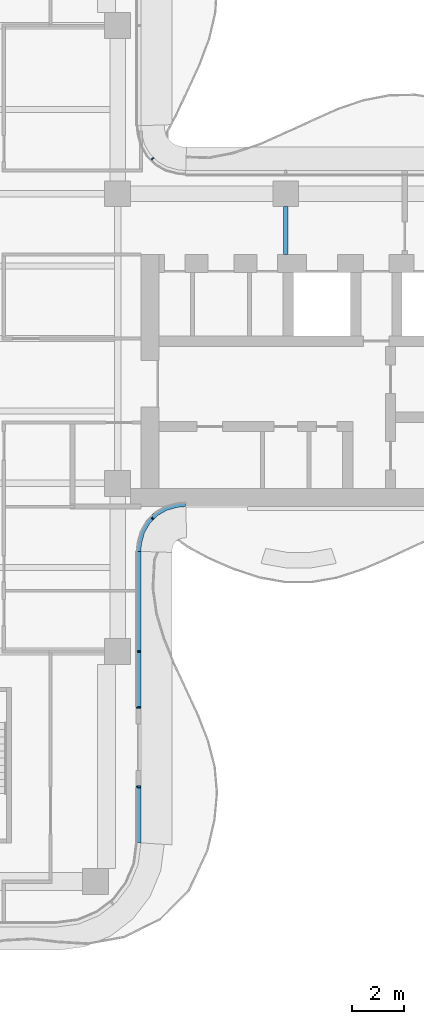
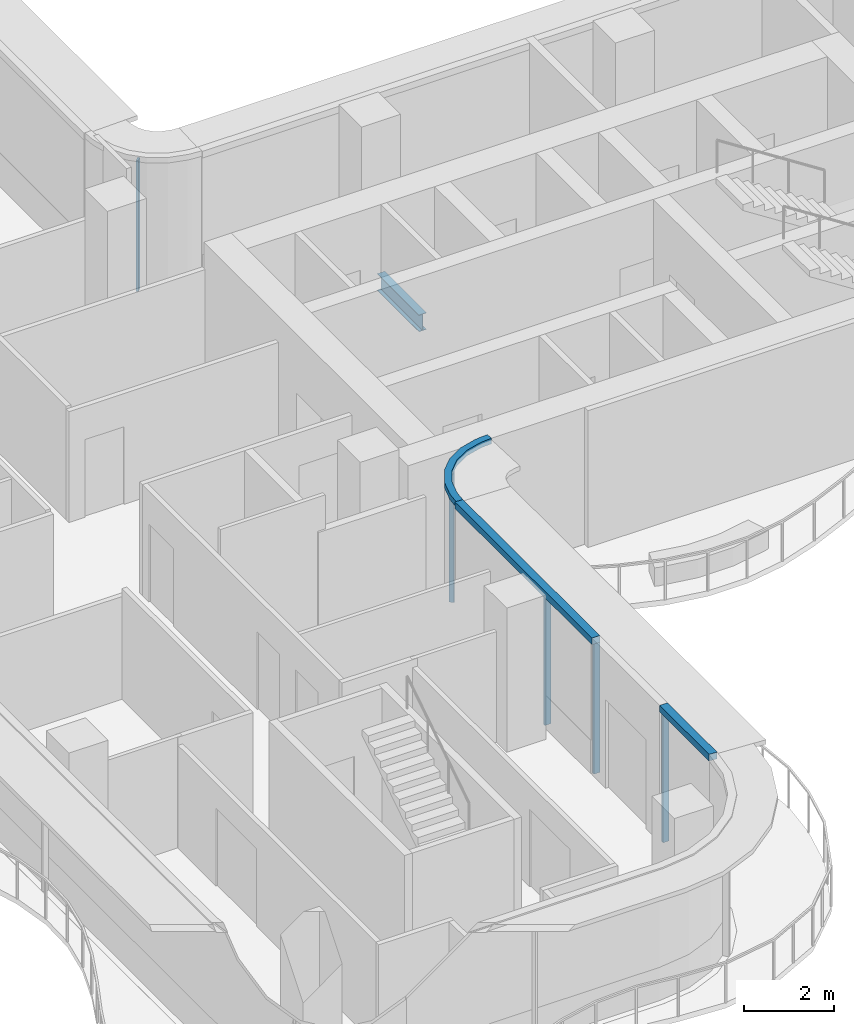
# One storey, part 5 of 16: 8 members, 1 beam, 4 elements without a shape of their own.
"""IFC4 building model written with IfcOpenShell, lengths in metres."""

from ifc_helpers import new_model, si_unit, direction, frame, origin, origin_2d, place, context, subcontext, project, spatial, polyline, rectangle, i_section, outline, extrude, source, transform, mapped, material, layer, layer_set, material_profile, profile_set, type_object, element, aggregate, save


model = new_model("IFC4")

# Units and contexts
model_context = context("Model", 3, precision=1e-05, world=origin(), true_north=direction((0.0, 1.0)))
body_context = subcontext(model_context, "Body", "Model", "MODEL_VIEW")
ifc_project = project(units=[si_unit("LENGTHUNIT", "METRE"), si_unit("AREAUNIT", "SQUARE_METRE"), si_unit("VOLUMEUNIT", "CUBIC_METRE"), si_unit("PLANEANGLEUNIT", "RADIAN"), si_unit("MASSUNIT", "GRAM", prefix="KILO")], contexts=[model_context])

# Site, building, storey
site_placement = place(None, origin())
site = spatial("IfcSite", under=ifc_project, at=site_placement, CompositionType="ELEMENT")
building_placement = place(site_placement, origin())
building = spatial("IfcBuilding", under=site, at=building_placement, Name="Trellis Farm Tower", CompositionType="ELEMENT")
storey_placement = place(building_placement, frame((0.0, 0.0, 291.10009765625)))
storey = spatial("IfcBuildingStorey", under=building, at=storey_placement, Name="L65", CompositionType="ELEMENT", Elevation=291.10009765625)

# Beam
ifc_material_1 = material(Name="Steel S355", Category="steel")
ifc_material_profile_1 = material_profile(ifc_material_1, i_section(OverallWidth=0.1904296875, OverallDepth=0.45703125, WebThickness=0.009033203125, FlangeThickness=0.014404296875, FilletRadius=0.01025390625, at=origin_2d()), Name="UB 457x191x74")
ifc_profile_set_1 = profile_set([ifc_material_profile_1], Name="Steel S355")
beam_type = type_object("IfcBeamType", Name="UB 457x191x74", PredefinedType="BEAM", material=ifc_profile_set_1)
shared_shape_1 = source(origin(), body_context, "Body", "SweptSolid", [
    extrude(i_section(OverallWidth=0.1904296875, OverallDepth=0.45703125, WebThickness=0.009033203125, FlangeThickness=0.014404296875, FilletRadius=0.01025390625, at=origin_2d()), origin(), (0.0, 0.0, 1.0), 1.85009765625),
])
beam_placement = place(storey_placement, frame((12.10009765625, 3.25, -0.4287109375), z_axis=(0.0, 1.0, 0.0), x_axis=(-1.0, 0.0, 0.0)))
element("IfcBeam", 1, at=beam_placement, inside=storey, type_object=beam_type, Name="Girder", PredefinedType="BEAM", context=body_context, shape_type="MappedRepresentation", body=[
    mapped(shared_shape_1, transform((0.0, 0.0, 0.0))),
])

# Curtain wall, member
ifc_material_2 = material(Name="Aluminium and glass curtain wall", Category="aluminium")
ifc_layer_1 = layer(ifc_material_2, 0.18994140625)
ifc_layer_set_1 = layer_set([ifc_layer_1], Name="RIBBON CURTAIN WALL CW1")
curtain_wall_type_1 = type_object("IfcCurtainWallType", Name="RIBBON CURTAIN WALL CW1", PredefinedType="NOTDEFINED", material=ifc_layer_set_1)
placement_1 = place(storey_placement, origin())
curtain_wall_1 = element("IfcCurtainWall", 2, at=placement_1, inside=storey, type_object=curtain_wall_type_1, Name="CW1 004", PredefinedType="NOTDEFINED")
ifc_material_3 = material(Name="Aluminium extrusion 6063-T6", Category="aluminium")
ifc_material_profile_2 = material_profile(ifc_material_3, rectangle(XDim=0.06005859375, YDim=0.14990234375, at=origin_2d()), Name="MULLION 60x150")
ifc_profile_set_2 = profile_set([ifc_material_profile_2], Name="Aluminium extrusion 6063-T6")
member_type_1 = type_object("IfcMemberType", Name="CW1 MULLION 60x150", PredefinedType="MULLION", material=ifc_profile_set_2)
shared_shape_2 = source(origin(), body_context, "Body", "SweptSolid", [
    extrude(rectangle(XDim=0.06005859375, YDim=0.14990234375, at=origin_2d()), origin(), (0.0, 0.0, 1.0), 3.52001953125),
])
member_1_placement = place(storey_placement, frame((6.425048828125, -17.330078125, 0.0), z_axis=(0.0, 0.0, 1.0), x_axis=(0.0, 1.0, 0.0)))
member_1 = element("IfcMember", 3, at=member_1_placement, type_object=member_type_1, Name="MU1 004-01", PredefinedType="MULLION", context=body_context, shape_type="MappedRepresentation", body=[
    mapped(shared_shape_2, transform((0.0, 0.0, 0.0))),
])

# Curtain wall, members
curtain_wall_2 = element("IfcCurtainWall", 4, at=placement_1, inside=storey, type_object=curtain_wall_type_1, Name="CW1 005", PredefinedType="NOTDEFINED")
member_2_placement = place(storey_placement, frame((6.425048828125, -14.27001953125, 0.0), z_axis=(0.0, 0.0, 1.0), x_axis=(0.0, 1.0, 0.0)))
member_2 = element("IfcMember", 5, at=member_2_placement, type_object=member_type_1, Name="MU1 005-01", PredefinedType="MULLION", context=body_context, shape_type="MappedRepresentation", body=[
    mapped(shared_shape_2, transform((0.0, 0.0, 0.0))),
])
member_3_placement = place(storey_placement, frame((6.425048828125, -12.10009765625, 0.0), z_axis=(0.0, 0.0, 1.0), x_axis=(0.0, 1.0, 0.0)))
member_3 = element("IfcMember", 6, at=member_3_placement, type_object=member_type_1, Name="MU1 005-02", PredefinedType="MULLION", context=body_context, shape_type="MappedRepresentation", body=[
    mapped(shared_shape_2, transform((0.0, 0.0, 0.0))),
])

# Curtain wall, member
ifc_layer_2 = layer(ifc_material_2, 0.166015625)
ifc_layer_set_2 = layer_set([ifc_layer_2], Name="WINTER GARDEN CURTAIN WALL CW3")
curtain_wall_type_2 = type_object("IfcCurtainWallType", Name="WINTER GARDEN CURTAIN WALL CW3", PredefinedType="NOTDEFINED", material=ifc_layer_set_2)
curtain_wall_3 = element("IfcCurtainWall", 7, at=placement_1, inside=storey, type_object=curtain_wall_type_2, Name="CW3 002", PredefinedType="NOTDEFINED")
ifc_material_profile_3 = material_profile(ifc_material_3, rectangle(XDim=0.050048828125, YDim=0.1201171875, at=origin_2d()), Name="MULLION 50x120")
ifc_profile_set_3 = profile_set([ifc_material_profile_3], Name="Aluminium extrusion 6063-T6")
member_type_2 = type_object("IfcMemberType", Name="CW3 MULLION 50x120", PredefinedType="MULLION", material=ifc_profile_set_3)
shared_shape_3 = source(origin(), body_context, "Body", "SweptSolid", [
    extrude(rectangle(XDim=0.050048828125, YDim=0.1201171875, at=origin_2d()), origin(), (0.0, 0.0, 1.0), 3.5498046875),
])
member_4_placement = place(storey_placement, frame((6.953125, -6.953125, 0.0), z_axis=(0.0, 0.0, 1.0), x_axis=(0.707106781187, 0.707106781187, 0.0)))
member_4 = element("IfcMember", 8, at=member_4_placement, type_object=member_type_2, Name="MU3 002-01", PredefinedType="MULLION", context=body_context, shape_type="MappedRepresentation", body=[
    mapped(shared_shape_3, transform((0.0, 0.0, 0.0))),
])

curtain_wall_4 = element("IfcCurtainWall", 9, at=placement_1, inside=storey, type_object=curtain_wall_type_2, Name="CW3 003", PredefinedType="NOTDEFINED")
member_5_placement = place(storey_placement, frame((6.953125, 6.953125, 0.0), z_axis=(0.0, 0.0, 1.0), x_axis=(-0.707106781187, 0.707106781187, 0.0)))
member_5 = element("IfcMember", 10, at=member_5_placement, type_object=member_type_2, Name="MU3 003-01", PredefinedType="MULLION", context=body_context, shape_type="MappedRepresentation", body=[
    mapped(shared_shape_3, transform((0.0, 0.0, 0.0))),
])
aggregate(curtain_wall_4, [member_5])

# Member
ifc_layer_3 = layer(ifc_material_3, 0.169921875)
ifc_layer_set_3 = layer_set([ifc_layer_3], Name="Aluminium extrusion 6063-T6")
member_type_3 = type_object("IfcMemberType", Name="CW3 TRANSOM 170x150", PredefinedType="USERDEFINED", material=ifc_layer_set_3)
shared_shape_4 = source(origin(), body_context, "Body", "SweptSolid", [
    extrude(outline(polyline([(6.5, -8.2314453125), (6.513916015625, -8.01953125), (6.527587890625, -7.91552734375), (6.63671875, -7.508544921875), (6.846923828125, -7.144287109375), (7.144287109375, -6.846923828125), (7.508544921875, -6.63671875), (7.91552734375, -6.527587890625), (8.01953125, -6.513916015625), (8.2314453125, -6.5), (8.225830078125, -6.330078125), (8.0029296875, -6.3447265625), (7.88232421875, -6.360595703125), (7.44287109375, -6.478271484375), (7.0400390625, -6.7109375), (6.7109375, -7.0400390625), (6.478271484375, -7.44287109375), (6.360595703125, -7.88232421875), (6.3447265625, -8.0029296875), (6.330078125, -8.225830078125), (6.5, -8.2314453125)])), origin(), (0.0, 0.0, 1.0), 0.150146484375),
])
member_6_placement = place(storey_placement, frame((0.0, 0.0, 3.5498046875)))
member_6 = element("IfcMember", 11, at=member_6_placement, type_object=member_type_3, Name="TR3 002", ObjectType="TRANSOM", PredefinedType="USERDEFINED", context=body_context, shape_type="MappedRepresentation", body=[
    mapped(shared_shape_4, transform((0.0, 0.0, 0.0))),
])

aggregate(curtain_wall_3, [member_4, member_6])

ifc_layer_4 = layer(ifc_material_3, 0.199951171875)
ifc_layer_set_4 = layer_set([ifc_layer_4], Name="Aluminium extrusion 6063-T6")
member_type_4 = type_object("IfcMemberType", Name="CW1 TRANSOM 200x180", PredefinedType="USERDEFINED", material=ifc_layer_set_4)
shared_shape_5 = source(origin(), body_context, "Body", "SweptSolid", [
    extrude(outline(polyline([(6.5, -19.5), (6.5, -17.300048828125), (6.300048828125, -17.300048828125), (6.300048828125, -19.48681640625), (6.5, -19.5)])), origin(), (0.0, 0.0, 1.0), 0.179931640625),
])
placement_2 = place(storey_placement, frame((0.0, 0.0, 3.52001953125)))
member_7 = element("IfcMember", 12, at=placement_2, type_object=member_type_4, Name="TR1 004", ObjectType="TRANSOM", PredefinedType="USERDEFINED", context=body_context, shape_type="MappedRepresentation", body=[
    mapped(shared_shape_5, transform((0.0, 0.0, 0.0))),
])

aggregate(curtain_wall_1, [member_1, member_7])

shared_shape_6 = source(origin(), body_context, "Body", "SweptSolid", [
    extrude(outline(polyline([(6.5, -14.300048828125), (6.5, -8.2314453125), (6.300048828125, -8.224853515625), (6.300048828125, -14.300048828125), (6.5, -14.300048828125)])), origin(), (0.0, 0.0, 1.0), 0.179931640625),
])
member_8 = element("IfcMember", 13, at=placement_2, type_object=member_type_4, Name="TR1 005", ObjectType="TRANSOM", PredefinedType="USERDEFINED", context=body_context, shape_type="MappedRepresentation", body=[
    mapped(shared_shape_6, transform((0.0, 0.0, 0.0))),
])

aggregate(curtain_wall_2, [member_2, member_3, member_8])

save(model, "model.ifc")
